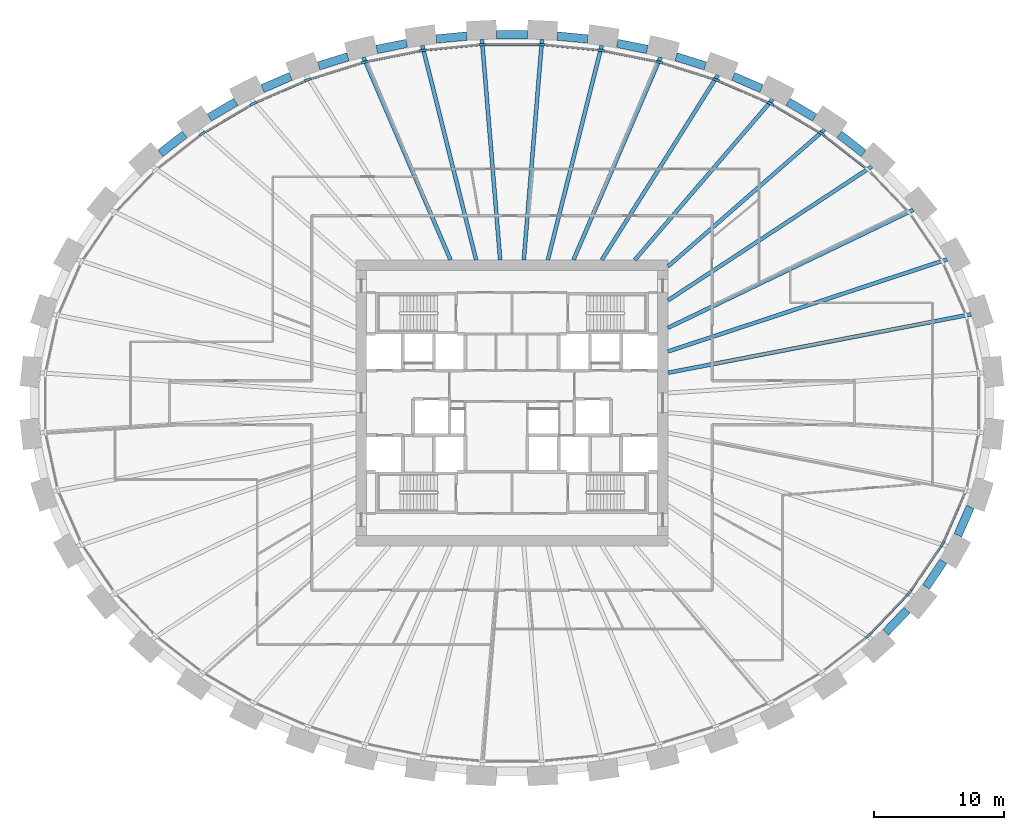
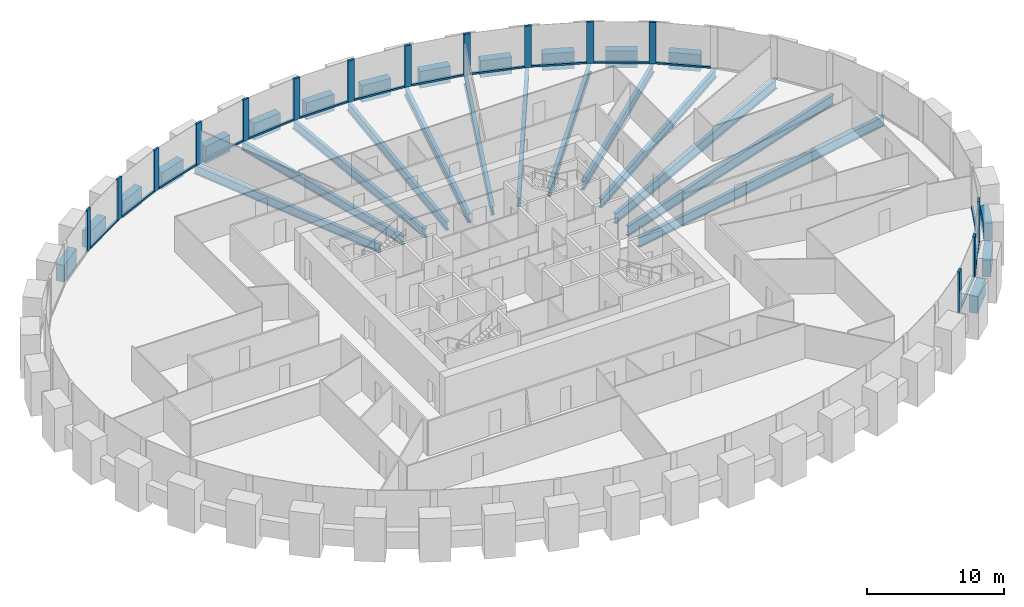
# One storey, part 3 of 10: 30 members, 29 beams, 1 element without a shape of its own.
"""IFC4 building model written with IfcOpenShell, lengths in metres."""

from ifc_helpers import new_model, si_unit, direction, frame, origin, origin_2d, place, context, subcontext, project, spatial, rectangle, i_section, extrude, source, transform, mapped, material, material_profile, profile_set, type_object, element, aggregate, save


model = new_model("IFC4")

# Units and contexts
model_context = context("Model", 3, precision=1e-05, world=origin(), true_north=direction((0.0, 1.0)))
body_context = subcontext(model_context, "Body", "Model", "MODEL_VIEW")
ifc_project = project(units=[si_unit("LENGTHUNIT", "METRE"), si_unit("AREAUNIT", "SQUARE_METRE"), si_unit("VOLUMEUNIT", "CUBIC_METRE"), si_unit("PLANEANGLEUNIT", "RADIAN"), si_unit("MASSUNIT", "GRAM", prefix="KILO")], contexts=[model_context])

# Site, building, storey
site_placement = place(None, origin())
site = spatial("IfcSite", under=ifc_project, at=site_placement, CompositionType="ELEMENT")
building_placement = place(site_placement, origin())
building = spatial("IfcBuilding", under=site, at=building_placement, Name="Embergate Tower", CompositionType="ELEMENT")
storey_placement = place(building_placement, frame((0.0, 0.0, 175.5)))
storey = spatial("IfcBuildingStorey", under=building, at=storey_placement, Name="L39", CompositionType="ELEMENT", Elevation=175.5)

# Beams
ifc_material_1 = material(Name="Concrete C70", Category="concrete")
ifc_material_profile_1 = material_profile(ifc_material_1, rectangle(XDim=0.64990234375, YDim=1.5, at=origin_2d()), Name="RC 650x1500")
ifc_profile_set_1 = profile_set([ifc_material_profile_1], Name="Concrete C70")
beam_type_1 = type_object("IfcBeamType", Name="Spandrel beam RC 650x1500 C70", PredefinedType="BEAM", material=ifc_profile_set_1)
shared_shape_1 = source(origin(), body_context, "Body", "SweptSolid", [
    extrude(rectangle(XDim=0.64990234375, YDim=1.5, at=origin_2d()), origin(), (0.0, 0.0, 1.0), 2.383544921875),
])
beam_1_placement = place(storey_placement, frame((34.302001953125, -10.18603515625, 0.0), z_axis=(0.401495719711, 0.915860899402, 0.0), x_axis=(-0.915860899402, 0.401495719711, 0.0)))
element("IfcBeam", 1, at=beam_1_placement, inside=storey, type_object=beam_type_1, Name="SPN-L39-41", PredefinedType="BEAM", context=body_context, shape_type="MappedRepresentation", body=[
    mapped(shared_shape_1, transform((0.0, 0.0, 0.0))),
])
shared_shape_2 = source(origin(), body_context, "Body", "SweptSolid", [
    extrude(rectangle(XDim=0.64990234375, YDim=1.5, at=origin_2d()), origin(), (0.0, 0.0, 1.0), 2.37744140625),
])
beam_2_placement = place(storey_placement, frame((31.85107421875, -14.1650390625, 0.0), z_axis=(0.562307212713, 0.826928411975, 0.0), x_axis=(-0.826928411975, 0.562307212713, 0.0)))
element("IfcBeam", 2, at=beam_2_placement, inside=storey, type_object=beam_type_1, Name="SPN-L39-40", PredefinedType="BEAM", context=body_context, shape_type="MappedRepresentation", body=[
    mapped(shared_shape_2, transform((0.0, 0.0, 0.0))),
])
shared_shape_3 = source(origin(), body_context, "Body", "SweptSolid", [
    extrude(rectangle(XDim=0.64990234375, YDim=1.5, at=origin_2d()), origin(), (0.0, 0.0, 1.0), 2.370361328125),
])
beam_3_placement = place(storey_placement, frame((28.7548828125, -17.656982421875, 0.0), z_axis=(0.690277300847, 0.723544917704, 0.0), x_axis=(-0.723544917704, 0.690277300847, 0.0)))
element("IfcBeam", 3, at=beam_3_placement, inside=storey, type_object=beam_type_1, Name="SPN-L39-39", PredefinedType="BEAM", context=body_context, shape_type="MappedRepresentation", body=[
    mapped(shared_shape_3, transform((0.0, 0.0, 0.0))),
])
shared_shape_4 = source(origin(), body_context, "Body", "SweptSolid", [
    extrude(rectangle(XDim=0.64990234375, YDim=1.5, at=origin_2d()), origin(), (0.0, 0.0, 1.0), 2.367431640625),
])
for number, where, z_axis, x_axis, name in (
    (4, (27.050048828125, 19.200927734375, 0.0), (-0.788179129097, 0.615445903761, 0.0), (-0.615445903761, -0.788179129097, 0.0), "SPN-L39-04"),
    (5, (-25.18408203125, 20.657958984375, 0.0), (-0.788179129097, -0.615445903761, 0.0), (0.615445903761, -0.788179129097, 0.0), "SPN-L39-16"),
):
    element("IfcBeam", number, at=place(storey_placement, frame(where, z_axis=z_axis, x_axis=x_axis)), inside=storey, type_object=beam_type_1, Name=name, PredefinedType="BEAM", context=body_context, shape_type="MappedRepresentation", body=[
        mapped(shared_shape_4, transform((0.0, 0.0, 0.0))),
    ])
shared_shape_5 = source(origin(), body_context, "Body", "SweptSolid", [
    extrude(rectangle(XDim=0.64990234375, YDim=1.5, at=origin_2d()), origin(), (0.0, 0.0, 1.0), 2.36181640625),
])
for number, where, z_axis, x_axis, name in (
    (6, (23.281982421875, 21.950927734375, 0.0), (-0.86203783714, 0.506843927989, 0.0), (-0.506843927989, -0.86203783714, 0.0), "SPN-L39-05"),
    (7, (-21.24609375, 23.14794921875, 0.0), (-0.86203783714, -0.506843927989, 0.0), (0.506843927989, -0.86203783714, 0.0), "SPN-L39-15"),
):
    element("IfcBeam", number, at=place(storey_placement, frame(where, z_axis=z_axis, x_axis=x_axis)), inside=storey, type_object=beam_type_1, Name=name, PredefinedType="BEAM", context=body_context, shape_type="MappedRepresentation", body=[
        mapped(shared_shape_5, transform((0.0, 0.0, 0.0))),
    ])
shared_shape_6 = source(origin(), body_context, "Body", "SweptSolid", [
    extrude(rectangle(XDim=0.64990234375, YDim=1.5, at=origin_2d()), origin(), (0.0, 0.0, 1.0), 2.357177734375),
])
for number, where, z_axis, x_axis, name in (
    (8, (19.18798828125, 24.175048828125, 0.0), (-0.916330780136, 0.400422153951, 0.0), (-0.400422153951, -0.916330780136, 0.0), "SPN-L39-06"),
    (9, (-17.028076171875, 25.118896484375, 0.0), (-0.916330780136, -0.400422153951, 0.0), (0.400422153951, -0.916330780136, 0.0), "SPN-L39-14"),
):
    element("IfcBeam", number, at=place(storey_placement, frame(where, z_axis=z_axis, x_axis=x_axis)), inside=storey, type_object=beam_type_1, Name=name, PredefinedType="BEAM", context=body_context, shape_type="MappedRepresentation", body=[
        mapped(shared_shape_6, transform((0.0, 0.0, 0.0))),
    ])
shared_shape_7 = source(origin(), body_context, "Body", "SweptSolid", [
    extrude(rectangle(XDim=0.64990234375, YDim=1.5, at=origin_2d()), origin(), (0.0, 0.0, 1.0), 2.354736328125),
])
for number, where, z_axis, x_axis, name in (
    (10, (14.873046875, 25.923095703125, 0.0), (-0.954671641149, 0.2976609776, 0.0), (-0.2976609776, -0.954671641149, 0.0), "SPN-L39-07"),
    (11, (-12.625, 26.6240234375, 0.0), (-0.954671641149, -0.2976609776, 0.0), (0.2976609776, -0.954671641149, 0.0), "SPN-L39-13"),
):
    element("IfcBeam", number, at=place(storey_placement, frame(where, z_axis=z_axis, x_axis=x_axis)), inside=storey, type_object=beam_type_1, Name=name, PredefinedType="BEAM", context=body_context, shape_type="MappedRepresentation", body=[
        mapped(shared_shape_7, transform((0.0, 0.0, 0.0))),
    ])
shared_shape_8 = source(origin(), body_context, "Body", "SweptSolid", [
    extrude(rectangle(XDim=0.64990234375, YDim=1.5, at=origin_2d()), origin(), (0.0, 0.0, 1.0), 2.35302734375),
])
for number, where, z_axis, x_axis, name in (
    (12, (10.39599609375, 27.19189453125, 0.0), (-0.980436743633, 0.196834427206, 0.0), (-0.196834427206, -0.980436743633, 0.0), "SPN-L39-08"),
    (13, (-8.089111328125, 27.655029296875, 0.0), (-0.980436743633, -0.196834427206, 0.0), (0.196834427206, -0.980436743633, 0.0), "SPN-L39-12"),
):
    element("IfcBeam", number, at=place(storey_placement, frame(where, z_axis=z_axis, x_axis=x_axis)), inside=storey, type_object=beam_type_1, Name=name, PredefinedType="BEAM", context=body_context, shape_type="MappedRepresentation", body=[
        mapped(shared_shape_8, transform((0.0, 0.0, 0.0))),
    ])
shared_shape_9 = source(origin(), body_context, "Body", "SweptSolid", [
    extrude(rectangle(XDim=0.64990234375, YDim=1.5, at=origin_2d()), origin(), (0.0, 0.0, 1.0), 2.352294921875),
])
for number, where, z_axis, x_axis, name in (
    (14, (5.81396484375, 27.993896484375, 0.0), (-0.995199233924, 0.097869733819, 0.0), (-0.097869733819, -0.995199233924, 0.0), "SPN-L39-09"),
    (15, (-3.472900390625, 28.22412109375, 0.0), (-0.995199233924, -0.097869733819, 0.0), (0.097869733819, -0.995199233924, 0.0), "SPN-L39-11"),
):
    element("IfcBeam", number, at=place(storey_placement, frame(where, z_axis=z_axis, x_axis=x_axis)), inside=storey, type_object=beam_type_1, Name=name, PredefinedType="BEAM", context=body_context, shape_type="MappedRepresentation", body=[
        mapped(shared_shape_9, transform((0.0, 0.0, 0.0))),
    ])
shared_shape_10 = source(origin(), body_context, "Body", "SweptSolid", [
    extrude(rectangle(XDim=0.64990234375, YDim=1.5, at=origin_2d()), origin(), (0.0, 0.0, 1.0), 2.35205078125),
])
beam_4_placement = place(storey_placement, frame((1.176025390625, 28.3369140625, 0.0), z_axis=(-1.0, 0.0, 0.0), x_axis=(0.0, -1.0, 0.0)))
element("IfcBeam", 16, at=beam_4_placement, inside=storey, type_object=beam_type_1, Name="SPN-L39-10", PredefinedType="BEAM", context=body_context, shape_type="MappedRepresentation", body=[
    mapped(shared_shape_10, transform((0.0, 0.0, 0.0))),
])
ifc_material_2 = material(Name="Steel Q355B", Category="steel")
ifc_material_profile_2 = material_profile(ifc_material_2, i_section(OverallWidth=0.300048828125, OverallDepth=0.89990234375, WebThickness=0.01611328125, FlangeThickness=0.028076171875, FilletRadius=0.028076171875, at=origin_2d()), Name="HN 900x300x16x28")
ifc_profile_set_2 = profile_set([ifc_material_profile_2], Name="Steel Q355 grade B")
beam_type_2 = type_object("IfcBeamType", Name="Radial girder HN 900x300x16x28", PredefinedType="BEAM", material=ifc_profile_set_2)
shared_shape_11 = source(origin(), body_context, "Body", "SweptSolid", [
    extrude(i_section(OverallWidth=0.300048828125, OverallDepth=0.89990234375, WebThickness=0.01611328125, FlangeThickness=0.028076171875, FilletRadius=0.028076171875, at=origin_2d()), origin(), (0.0, 0.0, 1.0), 23.747802734375),
])
beam_5_placement = place(storey_placement, frame((35.318115234375, 6.81201171875, -0.64990234375), z_axis=(-0.981906216614, -0.189367847787, 0.0), x_axis=(0.189367847787, -0.981906216614, 0.0)))
element("IfcBeam", 17, at=beam_5_placement, inside=storey, type_object=beam_type_2, Name="GIR-L39-01", PredefinedType="BEAM", context=body_context, shape_type="MappedRepresentation", body=[
    mapped(shared_shape_11, transform((0.0, 0.0, 0.0))),
])
shared_shape_12 = source(origin(), body_context, "Body", "SweptSolid", [
    extrude(i_section(OverallWidth=0.300048828125, OverallDepth=0.89990234375, WebThickness=0.01611328125, FlangeThickness=0.028076171875, FilletRadius=0.028076171875, at=origin_2d()), origin(), (0.0, 0.0, 1.0), 22.602294921875),
])
beam_6_placement = place(storey_placement, frame((33.465087890625, 11.035888671875, -0.64990234375), z_axis=(-0.949689481284, -0.313193054103, 0.0), x_axis=(0.313193054103, -0.949689481284, 0.0)))
element("IfcBeam", 18, at=beam_6_placement, inside=storey, type_object=beam_type_2, Name="GIR-L39-02", PredefinedType="BEAM", context=body_context, shape_type="MappedRepresentation", body=[
    mapped(shared_shape_12, transform((0.0, 0.0, 0.0))),
])
shared_shape_13 = source(origin(), body_context, "Body", "SweptSolid", [
    extrude(i_section(OverallWidth=0.300048828125, OverallDepth=0.89990234375, WebThickness=0.01611328125, FlangeThickness=0.028076171875, FilletRadius=0.028076171875, at=origin_2d()), origin(), (0.0, 0.0, 1.0), 20.941162109375),
])
beam_7_placement = place(storey_placement, frame((30.87109375, 14.85107421875, -0.64990234375), z_axis=(-0.901150138625, -0.433507125267, 0.0), x_axis=(0.433507125267, -0.901150138625, 0.0)))
element("IfcBeam", 19, at=beam_7_placement, inside=storey, type_object=beam_type_2, Name="GIR-L39-03", PredefinedType="BEAM", context=body_context, shape_type="MappedRepresentation", body=[
    mapped(shared_shape_13, transform((0.0, 0.0, 0.0))),
])
ifc_material_profile_3 = material_profile(ifc_material_2, i_section(OverallWidth=0.300048828125, OverallDepth=0.800048828125, WebThickness=0.013916015625, FlangeThickness=0.02587890625, FilletRadius=0.028076171875, at=origin_2d()), Name="HN 800x300x14x26")
ifc_profile_set_3 = profile_set([ifc_material_profile_3], Name="Steel Q355 grade B")
beam_type_3 = type_object("IfcBeamType", Name="Radial girder HN 800x300x14x26", PredefinedType="BEAM", material=ifc_profile_set_3)
shared_shape_14 = source(origin(), body_context, "Body", "SweptSolid", [
    extrude(i_section(OverallWidth=0.300048828125, OverallDepth=0.800048828125, WebThickness=0.013916015625, FlangeThickness=0.02587890625, FilletRadius=0.028076171875, at=origin_2d()), origin(), (0.0, 0.0, 1.0), 18.76953125),
])
beam_8_placement = place(storey_placement, frame((27.68701171875, 18.18994140625, -0.60009765625), z_axis=(-0.835771481667, -0.549077435734, 0.0), x_axis=(0.549077435734, -0.835771481667, 0.0)))
element("IfcBeam", 20, at=beam_8_placement, inside=storey, type_object=beam_type_3, Name="GIR-L39-04", PredefinedType="BEAM", context=body_context, shape_type="MappedRepresentation", body=[
    mapped(shared_shape_14, transform((0.0, 0.0, 0.0))),
])
shared_shape_15 = source(origin(), body_context, "Body", "SweptSolid", [
    extrude(i_section(OverallWidth=0.300048828125, OverallDepth=0.800048828125, WebThickness=0.013916015625, FlangeThickness=0.02587890625, FilletRadius=0.028076171875, at=origin_2d()), origin(), (0.0, 0.0, 1.0), 16.005859375),
])
beam_9_placement = place(storey_placement, frame((24.048095703125, 21.031005859375, -0.60009765625), z_axis=(-0.752730691054, -0.658328570506, 0.0), x_axis=(0.658328570506, -0.752730691054, 0.0)))
element("IfcBeam", 21, at=beam_9_placement, inside=storey, type_object=beam_type_3, Name="GIR-L39-05", PredefinedType="BEAM", context=body_context, shape_type="MappedRepresentation", body=[
    mapped(shared_shape_15, transform((0.0, 0.0, 0.0))),
])
shared_shape_16 = source(origin(), body_context, "Body", "SweptSolid", [
    extrude(i_section(OverallWidth=0.300048828125, OverallDepth=0.800048828125, WebThickness=0.013916015625, FlangeThickness=0.02587890625, FilletRadius=0.028076171875, at=origin_2d()), origin(), (0.0, 0.0, 1.0), 16.305419921875),
])
beam_10_placement = place(storey_placement, frame((20.069091796875, 23.3701171875, -0.60009765625), z_axis=(-0.651501333184, -0.758647489193, 0.0), x_axis=(0.758647489193, -0.651501333184, 0.0)))
element("IfcBeam", 22, at=beam_10_placement, inside=storey, type_object=beam_type_3, Name="GIR-L39-06", PredefinedType="BEAM", context=body_context, shape_type="MappedRepresentation", body=[
    mapped(shared_shape_16, transform((0.0, 0.0, 0.0))),
])
shared_shape_17 = source(origin(), body_context, "Body", "SweptSolid", [
    extrude(i_section(OverallWidth=0.300048828125, OverallDepth=0.800048828125, WebThickness=0.013916015625, FlangeThickness=0.02587890625, FilletRadius=0.028076171875, at=origin_2d()), origin(), (0.0, 0.0, 1.0), 16.79052734375),
])
beam_11_placement = place(storey_placement, frame((15.837890625, 25.218994140625, -0.60009765625), z_axis=(-0.531841858708, -0.8468436912, 0.0), x_axis=(0.8468436912, -0.531841858708, 0.0)))
element("IfcBeam", 23, at=beam_11_placement, inside=storey, type_object=beam_type_3, Name="GIR-L39-07", PredefinedType="BEAM", context=body_context, shape_type="MappedRepresentation", body=[
    mapped(shared_shape_17, transform((0.0, 0.0, 0.0))),
])
shared_shape_18 = source(origin(), body_context, "Body", "SweptSolid", [
    extrude(i_section(OverallWidth=0.300048828125, OverallDepth=0.800048828125, WebThickness=0.013916015625, FlangeThickness=0.02587890625, FilletRadius=0.028076171875, at=origin_2d()), origin(), (0.0, 0.0, 1.0), 16.971435546875),
])
for number, where, z_axis, x_axis, name in (
    (24, (11.429931640625, 26.592041015625, -0.60009765625), (-0.394894806524, -0.918726342161, 0.0), (0.918726342161, -0.394894806524, 0.0), "GIR-L39-08"),
    (25, (-11.429931640625, 26.592041015625, -0.60009765625), (0.394894806524, -0.918726342161, 0.0), (0.918726342161, 0.394894806524, 0.0), "GIR-L39-13"),
):
    element("IfcBeam", number, at=place(storey_placement, frame(where, z_axis=z_axis, x_axis=x_axis)), inside=storey, type_object=beam_type_3, Name=name, PredefinedType="BEAM", context=body_context, shape_type="MappedRepresentation", body=[
        mapped(shared_shape_18, transform((0.0, 0.0, 0.0))),
    ])
shared_shape_19 = source(origin(), body_context, "Body", "SweptSolid", [
    extrude(i_section(OverallWidth=0.300048828125, OverallDepth=0.800048828125, WebThickness=0.013916015625, FlangeThickness=0.02587890625, FilletRadius=0.028076171875, at=origin_2d()), origin(), (0.0, 0.0, 1.0), 17.011962890625),
])
for number, where, z_axis, x_axis, name in (
    (26, (6.903076171875, 27.5, -0.60009765625), (-0.243480994992, -0.969905668134, 0.0), (0.969905668134, -0.243480994992, 0.0), "GIR-L39-09"),
    (27, (-6.903076171875, 27.5, -0.60009765625), (0.243480994992, -0.969905668134, 0.0), (0.969905668134, 0.243480994992, 0.0), "GIR-L39-12"),
):
    element("IfcBeam", number, at=place(storey_placement, frame(where, z_axis=z_axis, x_axis=x_axis)), inside=storey, type_object=beam_type_3, Name=name, PredefinedType="BEAM", context=body_context, shape_type="MappedRepresentation", body=[
        mapped(shared_shape_19, transform((0.0, 0.0, 0.0))),
    ])
shared_shape_20 = source(origin(), body_context, "Body", "SweptSolid", [
    extrude(i_section(OverallWidth=0.300048828125, OverallDepth=0.800048828125, WebThickness=0.013916015625, FlangeThickness=0.02587890625, FilletRadius=0.028076171875, at=origin_2d()), origin(), (0.0, 0.0, 1.0), 17.009521484375),
])
for number, where, z_axis, x_axis, name in (
    (28, (2.30908203125, 27.951904296875, -0.60009765625), (-0.082314935073, -0.996606367361, 0.0), (0.996606367361, -0.082314935073, 0.0), "GIR-L39-10"),
    (29, (-2.30908203125, 27.951904296875, -0.60009765625), (0.082314935073, -0.996606367361, 0.0), (0.996606367361, 0.082314935073, 0.0), "GIR-L39-11"),
):
    element("IfcBeam", number, at=place(storey_placement, frame(where, z_axis=z_axis, x_axis=x_axis)), inside=storey, type_object=beam_type_3, Name=name, PredefinedType="BEAM", context=body_context, shape_type="MappedRepresentation", body=[
        mapped(shared_shape_20, transform((0.0, 0.0, 0.0))),
    ])

# Curtain wall, members
ifc_material_3 = material(Name="Aluminium and glass", Category="aluminium")
curtain_wall_type = type_object("IfcCurtainWallType", Name="Recessed office glazing", PredefinedType="NOTDEFINED", material=ifc_material_3)
curtain_wall_placement = place(storey_placement, origin())
curtain_wall = element("IfcCurtainWall", 30, at=curtain_wall_placement, inside=storey, type_object=curtain_wall_type, Name="Recessed office glazing ring", ObjectType="RECESSED OFFICE GLAZING", PredefinedType="USERDEFINED")
ifc_material_4 = material(Name="Aluminium, thermally broken", Category="aluminium")
ifc_material_profile_4 = material_profile(ifc_material_4, rectangle(XDim=0.179931640625, YDim=0.52001953125, at=origin_2d()), Name="AL 520x180")
ifc_profile_set_4 = profile_set([ifc_material_profile_4], Name="Aluminium, thermally broken")
member_type_1 = type_object("IfcMemberType", Name="Office mullion", PredefinedType="MULLION", material=ifc_profile_set_4)
shared_shape_21 = source(origin(), body_context, "Body", "SweptSolid", [
    extrude(rectangle(XDim=0.179931640625, YDim=0.52001953125, at=origin_2d()), origin(), (0.0, 0.0, 1.0), 3.699951171875),
])
member_1_placement = place(storey_placement, frame((23.82958984375, 20.70703125, 0.0), z_axis=(0.0, 0.0, 1.0), x_axis=(-0.562210401679, -0.82699423471, 0.0)))
member_1 = element("IfcMember", 31, at=member_1_placement, type_object=member_type_1, Name="CW mullion 6", PredefinedType="MULLION", context=body_context, shape_type="MappedRepresentation", body=[
    mapped(shared_shape_21, transform((0.0, 0.0, 0.0))),
])
member_2_placement = place(storey_placement, frame((19.89208984375, 23.02197265625, 0.0), z_axis=(0.0, 0.0, 1.0), x_axis=(-0.45450516197, -0.8907441034, 0.0)))
member_2 = element("IfcMember", 32, at=member_2_placement, type_object=member_type_1, Name="CW mullion 7", PredefinedType="MULLION", context=body_context, shape_type="MappedRepresentation", body=[
    mapped(shared_shape_21, transform((0.0, 0.0, 0.0))),
])
member_3_placement = place(storey_placement, frame((15.702880859375, 24.853759765625, 0.0), z_axis=(0.0, 0.0, 1.0), x_axis=(-0.349497777064, -0.936937193107, 0.0)))
member_3 = element("IfcMember", 33, at=member_3_placement, type_object=member_type_1, Name="CW mullion 8", PredefinedType="MULLION", context=body_context, shape_type="MappedRepresentation", body=[
    mapped(shared_shape_21, transform((0.0, 0.0, 0.0))),
])
member_4_placement = place(storey_placement, frame((11.334716796875, 26.214111328125, 0.0), z_axis=(0.0, 0.0, 1.0), x_axis=(-0.247308499144, -0.96893679167, 0.0)))
member_4 = element("IfcMember", 34, at=member_4_placement, type_object=member_type_1, Name="CW mullion 9", PredefinedType="MULLION", context=body_context, shape_type="MappedRepresentation", body=[
    mapped(shared_shape_21, transform((0.0, 0.0, 0.0))),
])
member_5_placement = place(storey_placement, frame((6.846435546875, 27.1142578125, 0.0), z_axis=(0.0, 0.0, 1.0), x_axis=(-0.147408930294, -0.989075632735, 0.0)))
member_5 = element("IfcMember", 35, at=member_5_placement, type_object=member_type_1, Name="CW mullion 10", PredefinedType="MULLION", context=body_context, shape_type="MappedRepresentation", body=[
    mapped(shared_shape_21, transform((0.0, 0.0, 0.0))),
])
member_6_placement = place(storey_placement, frame((2.28955078125, 27.56201171875, 0.0), z_axis=(0.0, 0.0, 1.0), x_axis=(-0.048970053385, -0.998800247232, 0.0)))
member_6 = element("IfcMember", 36, at=member_6_placement, type_object=member_type_1, Name="CW mullion 11", PredefinedType="MULLION", context=body_context, shape_type="MappedRepresentation", body=[
    mapped(shared_shape_21, transform((0.0, 0.0, 0.0))),
])
member_7_placement = place(storey_placement, frame((-2.28955078125, 27.56201171875, 0.0), z_axis=(0.0, 0.0, 1.0), x_axis=(0.048970053385, -0.998800247232, 0.0)))
member_7 = element("IfcMember", 37, at=member_7_placement, type_object=member_type_1, Name="CW mullion 12", PredefinedType="MULLION", context=body_context, shape_type="MappedRepresentation", body=[
    mapped(shared_shape_21, transform((0.0, 0.0, 0.0))),
])
member_8_placement = place(storey_placement, frame((-6.846435546875, 27.1142578125, 0.0), z_axis=(0.0, 0.0, 1.0), x_axis=(0.147408930294, -0.989075632735, 0.0)))
member_8 = element("IfcMember", 38, at=member_8_placement, type_object=member_type_1, Name="CW mullion 13", PredefinedType="MULLION", context=body_context, shape_type="MappedRepresentation", body=[
    mapped(shared_shape_21, transform((0.0, 0.0, 0.0))),
])
member_9_placement = place(storey_placement, frame((-11.334716796875, 26.214111328125, 0.0), z_axis=(0.0, 0.0, 1.0), x_axis=(0.247308499144, -0.96893679167, 0.0)))
member_9 = element("IfcMember", 39, at=member_9_placement, type_object=member_type_1, Name="CW mullion 14", PredefinedType="MULLION", context=body_context, shape_type="MappedRepresentation", body=[
    mapped(shared_shape_21, transform((0.0, 0.0, 0.0))),
])
member_10_placement = place(storey_placement, frame((-15.702880859375, 24.853759765625, 0.0), z_axis=(0.0, 0.0, 1.0), x_axis=(0.349497777064, -0.936937193107, 0.0)))
member_10 = element("IfcMember", 40, at=member_10_placement, type_object=member_type_1, Name="CW mullion 15", PredefinedType="MULLION", context=body_context, shape_type="MappedRepresentation", body=[
    mapped(shared_shape_21, transform((0.0, 0.0, 0.0))),
])
member_11_placement = place(storey_placement, frame((-19.89208984375, 23.02197265625, 0.0), z_axis=(0.0, 0.0, 1.0), x_axis=(0.45450516197, -0.8907441034, 0.0)))
member_11 = element("IfcMember", 41, at=member_11_placement, type_object=member_type_1, Name="CW mullion 16", PredefinedType="MULLION", context=body_context, shape_type="MappedRepresentation", body=[
    mapped(shared_shape_21, transform((0.0, 0.0, 0.0))),
])
member_12_placement = place(storey_placement, frame((-23.82958984375, 20.70703125, 0.0), z_axis=(0.0, 0.0, 1.0), x_axis=(0.562210401679, -0.82699423471, 0.0)))
member_12 = element("IfcMember", 42, at=member_12_placement, type_object=member_type_1, Name="CW mullion 17", PredefinedType="MULLION", context=body_context, shape_type="MappedRepresentation", body=[
    mapped(shared_shape_21, transform((0.0, 0.0, 0.0))),
])
member_13_placement = place(storey_placement, frame((27.425537109375, -17.900634765625, 0.0), z_axis=(0.0, 0.0, 1.0), x_axis=(-0.671221359023, 0.741256964346, 0.0)))
member_13 = element("IfcMember", 43, at=member_13_placement, type_object=member_type_1, Name="CW mullion 40", PredefinedType="MULLION", context=body_context, shape_type="MappedRepresentation", body=[
    mapped(shared_shape_21, transform((0.0, 0.0, 0.0))),
])
member_14_placement = place(storey_placement, frame((30.568359375, -14.60498046875, 0.0), z_axis=(0.0, 0.0, 1.0), x_axis=(-0.777867080309, 0.62842883875, 0.0)))
member_14 = element("IfcMember", 44, at=member_14_placement, type_object=member_type_1, Name="CW mullion 41", PredefinedType="MULLION", context=body_context, shape_type="MappedRepresentation", body=[
    mapped(shared_shape_21, transform((0.0, 0.0, 0.0))),
])
member_15_placement = place(storey_placement, frame((33.12451171875, -10.84619140625, 0.0), z_axis=(0.0, 0.0, 1.0), x_axis=(-0.874998516019, 0.484125600402, 0.0)))
member_15 = element("IfcMember", 45, at=member_15_placement, type_object=member_type_1, Name="CW mullion 42", PredefinedType="MULLION", context=body_context, shape_type="MappedRepresentation", body=[
    mapped(shared_shape_21, transform((0.0, 0.0, 0.0))),
])
ifc_material_profile_5 = material_profile(ifc_material_4, rectangle(XDim=0.179931640625, YDim=0.14990234375, at=origin_2d()), Name="AL 150x180")
ifc_profile_set_5 = profile_set([ifc_material_profile_5], Name="Aluminium, thermally broken")
member_type_2 = type_object("IfcMemberType", Name="Office sill transom", PredefinedType="USERDEFINED", material=ifc_profile_set_5)
shared_shape_22 = source(origin(), body_context, "Body", "SweptSolid", [
    extrude(rectangle(XDim=0.179931640625, YDim=0.14990234375, at=origin_2d()), origin(), (0.0, 0.0, 1.0), 4.0166015625),
])
member_16_placement = place(storey_placement, frame((33.22900390625, -10.608154296875, 0.074951171875), z_axis=(0.401644503167, 0.915795661202, 0.0), x_axis=(-0.915795661202, 0.401644503167, 0.0)))
member_16 = element("IfcMember", 46, at=member_16_placement, type_object=member_type_2, Name="CW transom 42.1", ObjectType="TRANSOM", PredefinedType="USERDEFINED", context=body_context, shape_type="MappedRepresentation", body=[
    mapped(shared_shape_22, transform((0.0, 0.0, 0.0))),
])
shared_shape_23 = source(origin(), body_context, "Body", "SweptSolid", [
    extrude(rectangle(XDim=0.179931640625, YDim=0.14990234375, at=origin_2d()), origin(), (0.0, 0.0, 1.0), 4.025390625),
])
member_17_placement = place(storey_placement, frame((30.714599609375, -14.389892578125, 0.074951171875), z_axis=(0.562346517012, 0.826901683881, 0.0), x_axis=(-0.826901683881, 0.562346517012, 0.0)))
member_17 = element("IfcMember", 47, at=member_17_placement, type_object=member_type_2, Name="CW transom 41.1", ObjectType="TRANSOM", PredefinedType="USERDEFINED", context=body_context, shape_type="MappedRepresentation", body=[
    mapped(shared_shape_23, transform((0.0, 0.0, 0.0))),
])
shared_shape_24 = source(origin(), body_context, "Body", "SweptSolid", [
    extrude(rectangle(XDim=0.179931640625, YDim=0.14990234375, at=origin_2d()), origin(), (0.0, 0.0, 1.0), 4.033935546875),
])
member_18_placement = place(storey_placement, frame((27.60498046875, -17.71240234375, 0.074951171875), z_axis=(0.690112930661, 0.723701694716, 0.0), x_axis=(-0.723701694716, 0.690112930661, 0.0)))
member_18 = element("IfcMember", 48, at=member_18_placement, type_object=member_type_2, Name="CW transom 40.1", ObjectType="TRANSOM", PredefinedType="USERDEFINED", context=body_context, shape_type="MappedRepresentation", body=[
    mapped(shared_shape_24, transform((0.0, 0.0, 0.0))),
])
shared_shape_25 = source(origin(), body_context, "Body", "SweptSolid", [
    extrude(rectangle(XDim=0.179931640625, YDim=0.14990234375, at=origin_2d()), origin(), (0.0, 0.0, 1.0), 4.04150390625),
])
member_19_placement = place(storey_placement, frame((27.220458984375, 18.060546875, 0.074951171875), z_axis=(-0.788326502743, 0.615257121107, 0.0), x_axis=(-0.615257121107, -0.788326502743, 0.0)))
member_19 = element("IfcMember", 49, at=member_19_placement, type_object=member_type_2, Name="CW transom 5.1", ObjectType="TRANSOM", PredefinedType="USERDEFINED", context=body_context, shape_type="MappedRepresentation", body=[
    mapped(shared_shape_25, transform((0.0, 0.0, 0.0))),
])
shared_shape_26 = source(origin(), body_context, "Body", "SweptSolid", [
    extrude(rectangle(XDim=0.179931640625, YDim=0.14990234375, at=origin_2d()), origin(), (0.0, 0.0, 1.0), 4.047607421875),
])
member_20_placement = place(storey_placement, frame((23.60546875, 20.8388671875, 0.074951171875), z_axis=(-0.862067536609, 0.50679341188, 0.0), x_axis=(-0.50679341188, -0.862067536609, 0.0)))
member_20 = element("IfcMember", 50, at=member_20_placement, type_object=member_type_2, Name="CW transom 6.1", ObjectType="TRANSOM", PredefinedType="USERDEFINED", context=body_context, shape_type="MappedRepresentation", body=[
    mapped(shared_shape_26, transform((0.0, 0.0, 0.0))),
])
member_21_placement = place(storey_placement, frame((-20.1162109375, 22.89013671875, 0.074951171875), z_axis=(-0.862067536609, -0.50679341188, 0.0), x_axis=(0.50679341188, -0.862067536609, 0.0)))
member_21 = element("IfcMember", 51, at=member_21_placement, type_object=member_type_2, Name="CW transom 16.1", ObjectType="TRANSOM", PredefinedType="USERDEFINED", context=body_context, shape_type="MappedRepresentation", body=[
    mapped(shared_shape_26, transform((0.0, 0.0, 0.0))),
])
shared_shape_27 = source(origin(), body_context, "Body", "SweptSolid", [
    extrude(rectangle(XDim=0.179931640625, YDim=0.14990234375, at=origin_2d()), origin(), (0.0, 0.0, 1.0), 4.052001953125),
])
member_22_placement = place(storey_placement, frame((19.65380859375, 23.126220703125, 0.074951171875), z_axis=(-0.91624719551, 0.400613375613, 0.0), x_axis=(-0.400613375613, -0.91624719551, 0.0)))
member_22 = element("IfcMember", 52, at=member_22_placement, type_object=member_type_2, Name="CW transom 7.1", ObjectType="TRANSOM", PredefinedType="USERDEFINED", context=body_context, shape_type="MappedRepresentation", body=[
    mapped(shared_shape_27, transform((0.0, 0.0, 0.0))),
])
member_23_placement = place(storey_placement, frame((-15.941162109375, 24.74951171875, 0.074951171875), z_axis=(-0.91624719551, -0.400613375613, 0.0), x_axis=(0.400613375613, -0.91624719551, 0.0)))
member_23 = element("IfcMember", 53, at=member_23_placement, type_object=member_type_2, Name="CW transom 15.1", ObjectType="TRANSOM", PredefinedType="USERDEFINED", context=body_context, shape_type="MappedRepresentation", body=[
    mapped(shared_shape_27, transform((0.0, 0.0, 0.0))),
])
shared_shape_28 = source(origin(), body_context, "Body", "SweptSolid", [
    extrude(rectangle(XDim=0.179931640625, YDim=0.14990234375, at=origin_2d()), origin(), (0.0, 0.0, 1.0), 4.055419921875),
])
member_24_placement = place(storey_placement, frame((15.454833984375, 24.930908203125, 0.074951171875), z_axis=(-0.954775154278, 0.297328782281, 0.0), x_axis=(-0.297328782281, -0.954775154278, 0.0)))
member_24 = element("IfcMember", 54, at=member_24_placement, type_object=member_type_2, Name="CW transom 8.1", ObjectType="TRANSOM", PredefinedType="USERDEFINED", context=body_context, shape_type="MappedRepresentation", body=[
    mapped(shared_shape_28, transform((0.0, 0.0, 0.0))),
])
member_25_placement = place(storey_placement, frame((-11.582763671875, 26.13671875, 0.074951171875), z_axis=(-0.954775154278, -0.297328782281, 0.0), x_axis=(0.297328782281, -0.954775154278, 0.0)))
member_25 = element("IfcMember", 55, at=member_25_placement, type_object=member_type_2, Name="CW transom 14.1", ObjectType="TRANSOM", PredefinedType="USERDEFINED", context=body_context, shape_type="MappedRepresentation", body=[
    mapped(shared_shape_28, transform((0.0, 0.0, 0.0))),
])
shared_shape_29 = source(origin(), body_context, "Body", "SweptSolid", [
    extrude(rectangle(XDim=0.179931640625, YDim=0.14990234375, at=origin_2d()), origin(), (0.0, 0.0, 1.0), 4.057373046875),
])
member_26_placement = place(storey_placement, frame((11.07958984375, 26.26513671875, 0.074951171875), z_axis=(-0.980476396391, 0.196636812728, 0.0), x_axis=(-0.196636812728, -0.980476396391, 0.0)))
member_26 = element("IfcMember", 56, at=member_26_placement, type_object=member_type_2, Name="CW transom 9.1", ObjectType="TRANSOM", PredefinedType="USERDEFINED", context=body_context, shape_type="MappedRepresentation", body=[
    mapped(shared_shape_29, transform((0.0, 0.0, 0.0))),
])
member_27_placement = place(storey_placement, frame((-7.101318359375, 27.06298828125, 0.074951171875), z_axis=(-0.980476396391, -0.196636812728, 0.0), x_axis=(0.196636812728, -0.980476396391, 0.0)))
member_27 = element("IfcMember", 57, at=member_27_placement, type_object=member_type_2, Name="CW transom 13.1", ObjectType="TRANSOM", PredefinedType="USERDEFINED", context=body_context, shape_type="MappedRepresentation", body=[
    mapped(shared_shape_29, transform((0.0, 0.0, 0.0))),
])
shared_shape_30 = source(origin(), body_context, "Body", "SweptSolid", [
    extrude(rectangle(XDim=0.179931640625, YDim=0.14990234375, at=origin_2d()), origin(), (0.0, 0.0, 1.0), 4.058837890625),
])
member_28_placement = place(storey_placement, frame((6.587646484375, 27.1396484375, 0.074951171875), z_axis=(-0.995205476783, 0.097806231807, 0.0), x_axis=(-0.097806231807, -0.995205476783, 0.0)))
member_28 = element("IfcMember", 58, at=member_28_placement, type_object=member_type_2, Name="CW transom 10.1", ObjectType="TRANSOM", PredefinedType="USERDEFINED", context=body_context, shape_type="MappedRepresentation", body=[
    mapped(shared_shape_30, transform((0.0, 0.0, 0.0))),
])
member_29_placement = place(storey_placement, frame((-2.54833984375, 27.53662109375, 0.074951171875), z_axis=(-0.995205476783, -0.097806231807, 0.0), x_axis=(0.097806231807, -0.995205476783, 0.0)))
member_29 = element("IfcMember", 59, at=member_29_placement, type_object=member_type_2, Name="CW transom 12.1", ObjectType="TRANSOM", PredefinedType="USERDEFINED", context=body_context, shape_type="MappedRepresentation", body=[
    mapped(shared_shape_30, transform((0.0, 0.0, 0.0))),
])
shared_shape_31 = source(origin(), body_context, "Body", "SweptSolid", [
    extrude(rectangle(XDim=0.179931640625, YDim=0.14990234375, at=origin_2d()), origin(), (0.0, 0.0, 1.0), 4.05908203125),
])
member_30_placement = place(storey_placement, frame((2.029541015625, 27.56201171875, 0.074951171875), z_axis=(-1.0, 0.0, 0.0), x_axis=(0.0, -1.0, 0.0)))
member_30 = element("IfcMember", 60, at=member_30_placement, type_object=member_type_2, Name="CW transom 11.1", ObjectType="TRANSOM", PredefinedType="USERDEFINED", context=body_context, shape_type="MappedRepresentation", body=[
    mapped(shared_shape_31, transform((0.0, 0.0, 0.0))),
])
aggregate(curtain_wall, [member_1, member_2, member_3, member_4, member_5, member_6, member_7, member_8, member_9, member_10, member_11, member_12, member_13, member_14, member_15, member_19, member_20, member_22, member_24, member_26, member_28, member_30, member_29, member_27, member_25, member_23, member_21, member_18, member_17, member_16])

save(model, "model.ifc")
